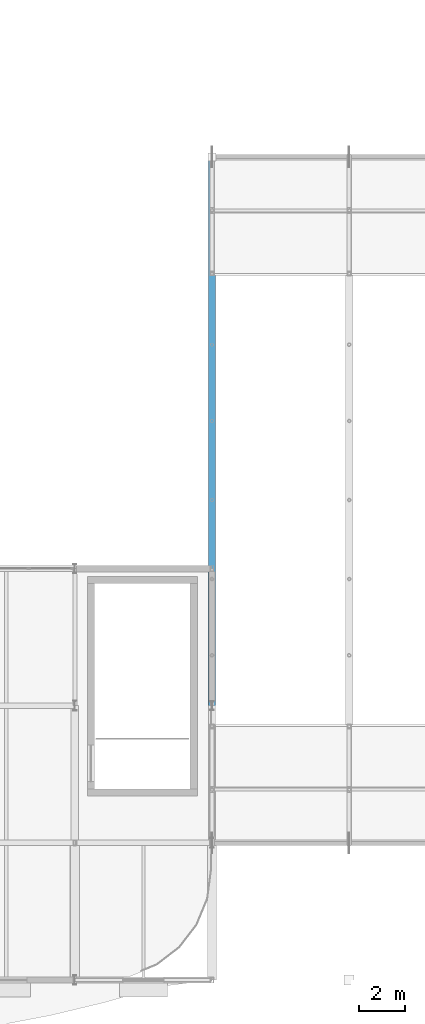
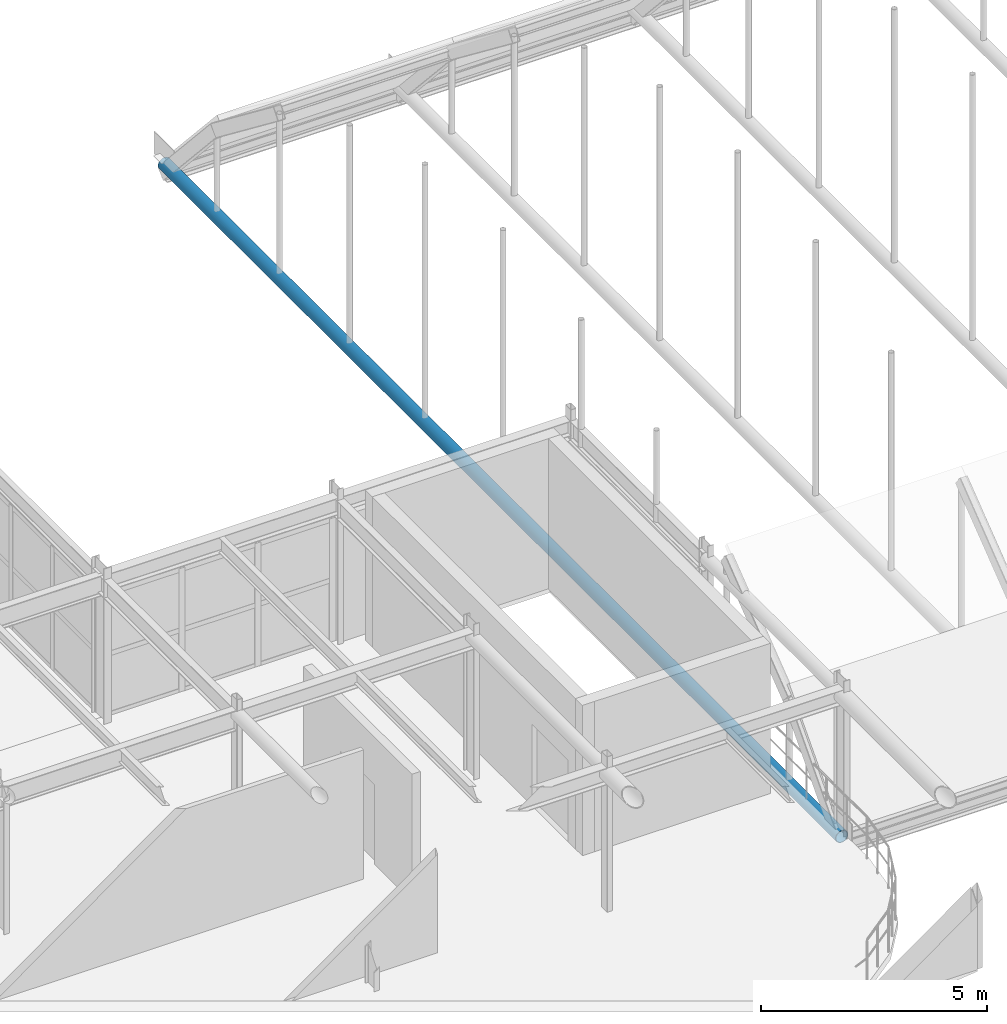
# One storey, part 30 of 116: 1 member.
"""IFC4 building model written with IfcOpenShell, lengths in metres."""

from ifc_helpers import new_model, si_unit, direction, frame, origin, origin_2d, place, context, subcontext, project, spatial, hollow_circle, extrude, material, material_profile, profile_set, type_object, element, save


model = new_model("IFC4")

# Units and contexts
model_context = context("Model", 3, precision=1e-05, world=origin(), true_north=direction((0.0, 1.0)))
body_context = subcontext(model_context, "Body", "Model", "MODEL_VIEW")
ifc_project = project(units=[si_unit("LENGTHUNIT", "METRE"), si_unit("AREAUNIT", "SQUARE_METRE"), si_unit("VOLUMEUNIT", "CUBIC_METRE"), si_unit("PLANEANGLEUNIT", "RADIAN"), si_unit("MASSUNIT", "GRAM", prefix="KILO")], contexts=[model_context])

# Site, building, storey
site_placement = place(None, origin())
site = spatial("IfcSite", under=ifc_project, at=site_placement, CompositionType="ELEMENT")
building_placement = place(site_placement, origin())
building = spatial("IfcBuilding", under=site, at=building_placement, Name="Varnakota Square Police Headquarters", CompositionType="ELEMENT")
storey_placement = place(building_placement, frame((0.0, 0.0, 9.300048828125)))
storey = spatial("IfcBuildingStorey", under=building, at=storey_placement, Name="L02", CompositionType="ELEMENT", Elevation=9.300048828125)

# Member
ifc_material = material(Name="Steel IS 2062 Grade 350", Category="steel")
ifc_material_profile = material_profile(ifc_material, hollow_circle(Radius=0.161865234375, WallThickness=0.0126953125, at=origin_2d()), Name="CHS 323.9x12.7")
ifc_profile_set = profile_set([ifc_material_profile], Name="Steel IS 2062 Grade 350")
member_type = type_object("IfcMemberType", Name="MEM-TIE-CHS273", PredefinedType="CHORD", material=ifc_profile_set)
member_placement = place(storey_placement, frame((54.0, 9.0, -0.150146484375), z_axis=(0.0, 1.0, 0.0), x_axis=(-1.0, 0.0, 0.0)))
element("IfcMember", 1, at=member_placement, inside=storey, type_object=member_type, Name="Barrel vault tie rod V1-R01", PredefinedType="CHORD", context=body_context, shape_type="SweptSolid", body=[
    extrude(hollow_circle(Radius=0.161865234375, WallThickness=0.0126953125, at=origin_2d()), origin(), (0.0, 0.0, 1.0), 30.0),
])

save(model, "model.ifc")
